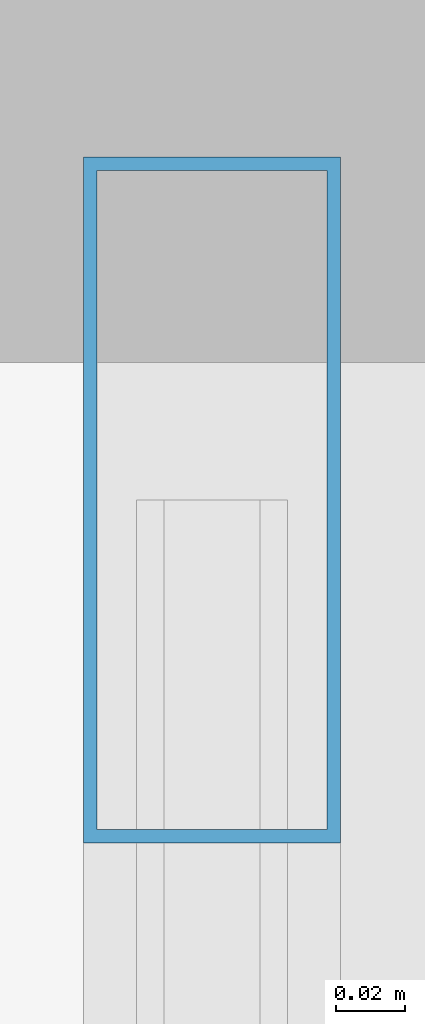
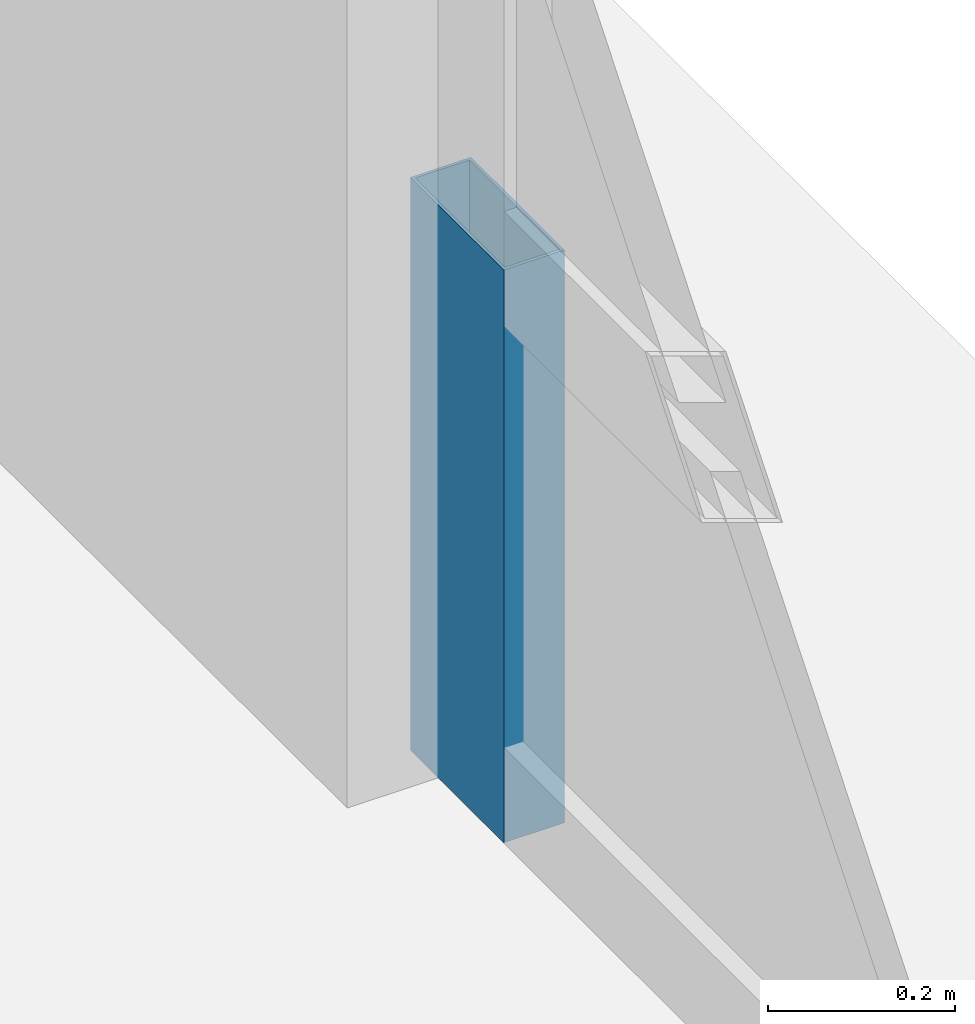
# One storey, part 28 of 35: 1 member, 1 element without a shape of its own.
"""IFC4 building model written with IfcOpenShell, lengths in metres."""

from ifc_helpers import new_model, si_unit, direction, frame, origin, origin_2d, place, context, subcontext, project, spatial, hollow_rectangle, extrude, source, transform, mapped, material, layer, layer_set, material_profile, profile_set, type_object, element, aggregate, save


model = new_model("IFC4")

# Units and contexts
model_context = context("Model", 3, precision=1e-05, world=origin(), true_north=direction((0.0, 1.0)))
body_context = subcontext(model_context, "Body", "Model", "MODEL_VIEW")
ifc_project = project(units=[si_unit("LENGTHUNIT", "METRE"), si_unit("AREAUNIT", "SQUARE_METRE"), si_unit("VOLUMEUNIT", "CUBIC_METRE"), si_unit("PLANEANGLEUNIT", "RADIAN"), si_unit("MASSUNIT", "GRAM", prefix="KILO"), si_unit("THERMODYNAMICTEMPERATUREUNIT", "KELVIN"), si_unit("POWERUNIT", "WATT")], contexts=[model_context])

# Site, building, storey
site_placement = place(None, origin())
site = spatial("IfcSite", under=ifc_project, at=site_placement, CompositionType="ELEMENT")
building_placement = place(site_placement, origin())
building = spatial("IfcBuilding", under=site, at=building_placement, Name="Yuzanri Waterfront Tower", CompositionType="ELEMENT")
storey_placement = place(building_placement, frame((0.0, 0.0, 335.699951171875)))
storey = spatial("IfcBuildingStorey", under=building, at=storey_placement, Name="L90", CompositionType="ELEMENT", Elevation=335.699951171875)

# Curtain wall, member
ifc_material_1 = material(Name="Anodized Architectural Bronze", Category="metal")
ifc_layer = layer(ifc_material_1, 0.159912109375)
ifc_layer_set = layer_set([ifc_layer], Name="Anodized Architectural Bronze")
curtain_wall_type = type_object("IfcCurtainWallType", Name="Anodized Bronze High-Rise Penthouse High-Wind Unitized Curtain Wall 6900", PredefinedType="NOTDEFINED", material=ifc_layer_set)
curtain_wall_placement = place(storey_placement, origin())
curtain_wall = element("IfcCurtainWall", 1, at=curtain_wall_placement, inside=storey, type_object=curtain_wall_type, Name="L90 Curtain Wall CW-L90-ER", PredefinedType="NOTDEFINED")
ifc_material_2 = material(Name="Anodized Architectural Bronze", Category="metal")
ifc_material_profile = material_profile(ifc_material_2, hollow_rectangle(XDim=0.074951171875, YDim=0.199951171875, WallThickness=0.00390625, at=origin_2d()), Name="CWM 75x200")
ifc_profile_set = profile_set([ifc_material_profile], Name="Anodized Architectural Bronze")
member_type = type_object("IfcMemberType", Name="Anodized Bronze Primary Curtain-Wall Mullion 75x200", PredefinedType="MULLION", material=ifc_profile_set)
shared_shape = source(origin(), body_context, "Body", "SweptSolid", [
    extrude(hollow_rectangle(XDim=0.074951171875, YDim=0.199951171875, WallThickness=0.00390625, at=origin_2d()), origin(), (0.0, 0.0, 1.0), 0.748046875),
])
member_placement = place(storey_placement, frame((55.949951171875, 37.510009765625, 0.0), z_axis=(0.0, 0.0, 1.0), x_axis=(1.0, 0.0, 0.0)))
member = element("IfcMember", 2, at=member_placement, type_object=member_type, Name="CW-L90-ER Lower Mullion 02", PredefinedType="MULLION", context=body_context, shape_type="MappedRepresentation", body=[
    mapped(shared_shape, transform((0.0, 0.0, 0.0), scale=1.0)),
])
aggregate(curtain_wall, [member])

save(model, "model.ifc")
